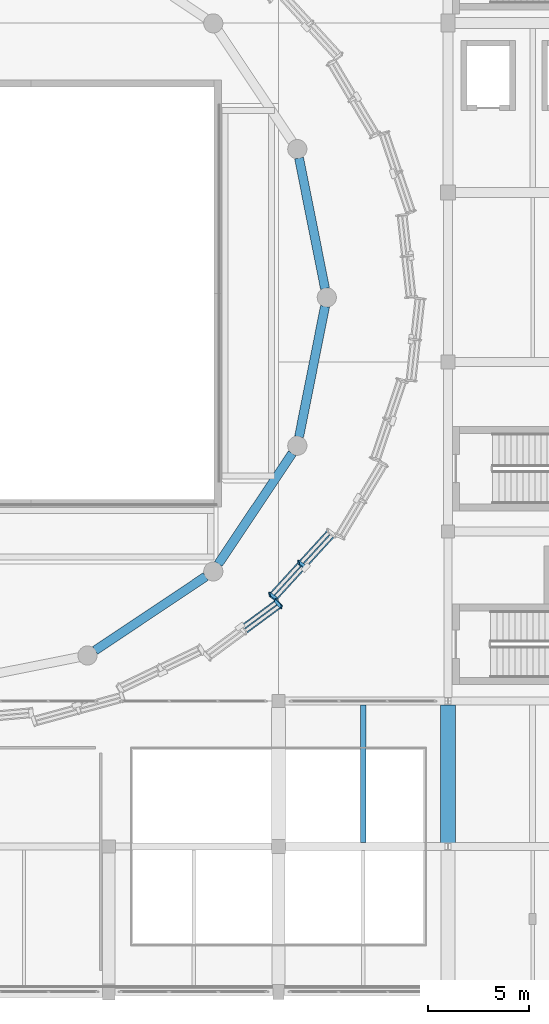
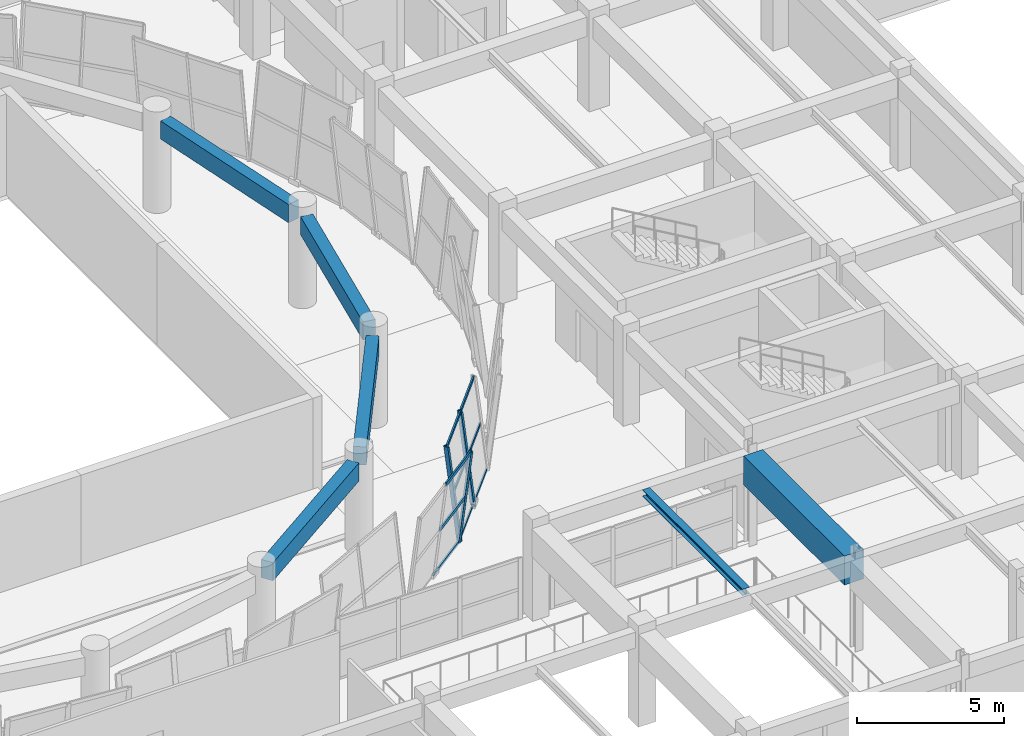
# One storey, part 28 of 71: 12 members, 6 beams, 2 elements without a shape of their own.
"""IFC4 building model written with IfcOpenShell, lengths in metres."""

from ifc_helpers import new_model, si_unit, direction, frame, origin, origin_2d, place, context, subcontext, project, spatial, rectangle, hollow_rectangle, i_section, extrude, material, material_profile, profile_set, type_object, element, aggregate, save


model = new_model("IFC4")

# Units and contexts
model_context = context("Model", 3, precision=1e-05, world=origin(), true_north=direction((0.0, 1.0)))
body_context = subcontext(model_context, "Body", "Model", "MODEL_VIEW")
ifc_project = project(units=[si_unit("LENGTHUNIT", "METRE"), si_unit("AREAUNIT", "SQUARE_METRE"), si_unit("VOLUMEUNIT", "CUBIC_METRE"), si_unit("PLANEANGLEUNIT", "RADIAN"), si_unit("MASSUNIT", "GRAM", prefix="KILO")], contexts=[model_context])

# Site, building, storey
site_placement = place(None, origin())
site = spatial("IfcSite", under=ifc_project, at=site_placement, CompositionType="ELEMENT")
building_placement = place(site_placement, origin())
building = spatial("IfcBuilding", under=site, at=building_placement, Name="Korsvaeld Concert Hall", CompositionType="ELEMENT")
storey_placement = place(building_placement, frame((0.0, 0.0, 4.800048828125)))
storey = spatial("IfcBuildingStorey", under=building, at=storey_placement, Name="L01", CompositionType="ELEMENT", Elevation=4.800048828125)

# Beams
ifc_material_1 = material(Name="Concrete C35/45", Category="concrete")
ifc_material_profile_1 = material_profile(ifc_material_1, rectangle(XDim=0.449951171875, YDim=0.75, at=origin_2d()), Name="RC 450x750")
ifc_profile_set_1 = profile_set([ifc_material_profile_1], Name="Concrete C35/45")
beam_type_1 = type_object("IfcBeamType", Name="BM-RC-450x750", PredefinedType="T_BEAM", material=ifc_profile_set_1)
for number, where, z_axis, x_axis, name in (
    (1, (103.1123046875, 63.641357421875, 3.46484375), (-0.195083214432, 0.980786694163, 0.0), (-0.980786694163, -0.195083214432, 0.0), "Drum ring floor girder L01 01"),
    (2, (91.7216796875, 45.71142578125, 3.46484375), (0.831468624109, 0.555571711953, 0.0), (-0.555571711953, 0.831468624109, 0.0), "Drum ring floor girder L01 14"),
):
    element("IfcBeam", number, at=place(storey_placement, frame(where, z_axis=z_axis, x_axis=x_axis)), inside=storey, type_object=beam_type_1, Name=name, PredefinedType="T_BEAM", context=body_context, shape_type="SweptSolid", body=[
        extrude(rectangle(XDim=0.449951171875, YDim=0.75, at=origin_2d()), origin(), (0.0, 0.0, 1.0), 6.591552734375),
    ])
for number, where, z_axis, x_axis, name in (
    (3, (97.826416015625, 49.997802734375, 3.46484375), (0.555588821765, 0.831457191399, 0.0), (-0.831457191399, 0.555588821765, 0.0), "Drum ring floor girder L01 15"),
    (4, (101.826416015625, 56.2939453125, 3.46484375), (0.195090301499, 0.980785284484, 0.0), (-0.980785284484, 0.195090301499, 0.0), "Drum ring floor girder L01 16"),
):
    element("IfcBeam", number, at=place(storey_placement, frame(where, z_axis=z_axis, x_axis=x_axis)), inside=storey, type_object=beam_type_1, Name=name, PredefinedType="T_BEAM", context=body_context, shape_type="SweptSolid", body=[
        extrude(rectangle(XDim=0.449951171875, YDim=0.75, at=origin_2d()), origin(), (0.0, 0.0, 1.0), 6.59130859375),
    ])
ifc_material_2 = material(Name="Concrete C40/50", Category="concrete")
ifc_material_profile_2 = material_profile(ifc_material_2, rectangle(XDim=0.75, YDim=1.199951171875, at=origin_2d()), Name="RC 750x1200")
ifc_profile_set_2 = profile_set([ifc_material_profile_2], Name="Concrete C40/50")
beam_type_2 = type_object("IfcBeamType", Name="BM-RC-750x1200", PredefinedType="T_BEAM", material=ifc_profile_set_2)
beam_1_placement = place(storey_placement, frame((109.199951171875, 36.179931640625, 3.239990234375), z_axis=(0.0, 1.0, 0.0), x_axis=(-1.0, 0.0, 0.0)))
element("IfcBeam", 5, at=beam_1_placement, inside=storey, type_object=beam_type_2, Name="Primary girder 15/F-G L01", PredefinedType="T_BEAM", context=body_context, shape_type="SweptSolid", body=[
    extrude(rectangle(XDim=0.75, YDim=1.199951171875, at=origin_2d()), origin(), (0.0, 0.0, 1.0), 6.840087890625),
])
ifc_material_3 = material(Name="Steel S355J2", Category="steel")
ifc_material_profile_3 = material_profile(ifc_material_3, i_section(OverallWidth=0.280029296875, OverallDepth=0.27001953125, WebThickness=0.008056640625, FlangeThickness=0.012939453125, FilletRadius=0.02392578125, at=origin_2d()), Name="HEA 280")
ifc_profile_set_3 = profile_set([ifc_material_profile_3], Name="Steel S355J2")
beam_type_3 = type_object("IfcBeamType", Name="BM-STL-HEA280", PredefinedType="BEAM", material=ifc_profile_set_3)
beam_2_placement = place(storey_placement, frame((105.0, 36.199951171875, 3.704833984375), z_axis=(0.0, 1.0, 0.0), x_axis=(-1.0, 0.0, 0.0)))
element("IfcBeam", 6, at=beam_2_placement, inside=storey, type_object=beam_type_3, Name="Secondary steel floor beam 14-15/F L01", PredefinedType="BEAM", context=body_context, shape_type="SweptSolid", body=[
    extrude(i_section(OverallWidth=0.280029296875, OverallDepth=0.27001953125, WebThickness=0.008056640625, FlangeThickness=0.012939453125, FilletRadius=0.02392578125, at=origin_2d()), origin(), (0.0, 0.0, 1.0), 6.800048828125),
])

# Curtain wall, member
ifc_material_4 = material(Name="Anodised bronze and ceramic-fritted safety glass", Category="glass")
curtain_wall_type_1 = type_object("IfcCurtainWallType", Name="CW-TYPE-04", PredefinedType="USERDEFINED", material=ifc_material_4)
curtain_wall_1_placement = place(storey_placement, origin())
curtain_wall_1 = element("IfcCurtainWall", 7, at=curtain_wall_1_placement, inside=storey, type_object=curtain_wall_type_1, Name="Crystal curtain-wall facet L01 F28", ObjectType="CURTAIN WALL", PredefinedType="USERDEFINED")
ifc_material_5 = material(Name="Anodised architectural bronze aluminium", Category="aluminium")
ifc_material_profile_4 = material_profile(ifc_material_5, hollow_rectangle(XDim=0.074951171875, YDim=0.179931640625, WallThickness=0.0048828125, at=origin_2d()), Name="CWM 180x75x5")
ifc_profile_set_4 = profile_set([ifc_material_profile_4], Name="Anodised architectural bronze aluminium")
member_type_1 = type_object("IfcMemberType", Name="CWM-BRONZE-180x75", PredefinedType="MULLION", material=ifc_profile_set_4)
member_1_placement = place(storey_placement, frame((100.657470703125, 48.18701171875, 0.0), z_axis=(0.076399398433, -0.083589194521, 0.993567299421), x_axis=(-0.977549491387, 0.189970185789, 0.091149988477)))
member_1 = element("IfcMember", 8, at=member_1_placement, type_object=member_type_1, Name="CW-CRYS-L01-F28 crystal mullion 3", PredefinedType="MULLION", context=body_context, shape_type="SweptSolid", body=[
    extrude(hollow_rectangle(XDim=0.074951171875, YDim=0.179931640625, WallThickness=0.0048828125, at=origin_2d()), origin(), (0.0, 0.0, 1.0), 3.905029296875),
])

# Curtain wall, members
curtain_wall_type_2 = type_object("IfcCurtainWallType", Name="CW-TYPE-05", PredefinedType="USERDEFINED", material=ifc_material_4)
curtain_wall_2_placement = place(storey_placement, origin())
curtain_wall_2 = element("IfcCurtainWall", 9, at=curtain_wall_2_placement, inside=storey, type_object=curtain_wall_type_2, Name="Crystal curtain-wall facet L01 F29", ObjectType="CURTAIN WALL", PredefinedType="USERDEFINED")
ifc_material_profile_5 = material_profile(ifc_material_5, hollow_rectangle(XDim=0.074951171875, YDim=0.219970703125, WallThickness=0.006103515625, at=origin_2d()), Name="CWM 220x75x6")
ifc_profile_set_5 = profile_set([ifc_material_profile_5], Name="Anodised architectural bronze aluminium")
member_type_2 = type_object("IfcMemberType", Name="CWM-BRONZE-220x75", PredefinedType="MULLION", material=ifc_profile_set_5)
member_2_placement = place(storey_placement, frame((100.712890625, 48.237060546875, 0.0), z_axis=(-0.091092396556, 0.067147037681, 0.993576092013), x_axis=(0.977499972004, 0.19664090034, 0.076329293496)))
member_2 = element("IfcMember", 10, at=member_2_placement, type_object=member_type_2, Name="CW-CRYS-L01-F29 crystal mullion 1", PredefinedType="MULLION", context=body_context, shape_type="SweptSolid", body=[
    extrude(hollow_rectangle(XDim=0.074951171875, YDim=0.219970703125, WallThickness=0.006103515625, at=origin_2d()), origin(), (0.0, 0.0, 1.0), 3.905029296875),
])
member_3_placement = place(storey_placement, frame((102.1552734375, 49.815673828125, 0.0), z_axis=(-0.091154397761, 0.067146655141, 0.993570431561), x_axis=(0.977432414107, 0.196963442342, 0.076362806613)))
member_3 = element("IfcMember", 11, at=member_3_placement, type_object=member_type_2, Name="CW-CRYS-L01-F29 crystal mullion 2", PredefinedType="MULLION", context=body_context, shape_type="SweptSolid", body=[
    extrude(hollow_rectangle(XDim=0.074951171875, YDim=0.219970703125, WallThickness=0.006103515625, at=origin_2d()), origin(), (0.0, 0.0, 1.0), 3.905029296875),
])

# Member
ifc_material_profile_6 = material_profile(ifc_material_5, hollow_rectangle(XDim=0.06005859375, YDim=0.139892578125, WallThickness=0.00390625, at=origin_2d()), Name="CWT 140x60x4")
ifc_profile_set_6 = profile_set([ifc_material_profile_6], Name="Anodised architectural bronze aluminium")
member_type_3 = type_object("IfcMemberType", Name="CWT-BRONZE-140x60", PredefinedType="USERDEFINED", material=ifc_profile_set_6)
member_4_placement = place(storey_placement, frame((98.93212890625, 46.910888671875, 0.030029296875), z_axis=(0.804904507896, 0.593404358906, 0.0), x_axis=(-0.593404358906, 0.804904507896, 0.0)))
member_4 = element("IfcMember", 12, at=member_4_placement, type_object=member_type_3, Name="CW-CRYS-L01-F28 crystal transom 2.1", ObjectType="TRANSOM", PredefinedType="USERDEFINED", context=body_context, shape_type="SweptSolid", body=[
    extrude(hollow_rectangle(XDim=0.06005859375, YDim=0.139892578125, WallThickness=0.00390625, at=origin_2d()), origin(), (0.0, 0.0, 1.0), 2.10888671875),
])

member_5_placement = place(storey_placement, frame((99.078857421875, 46.75, 1.93994140625), z_axis=(0.804849215574, 0.593479351107, 0.0), x_axis=(-0.593479351107, 0.804849215574, 0.0)))
member_5 = element("IfcMember", 13, at=member_5_placement, type_object=member_type_3, Name="CW-CRYS-L01-F28 crystal transom 2.2", ObjectType="TRANSOM", PredefinedType="USERDEFINED", context=body_context, shape_type="SweptSolid", body=[
    extrude(hollow_rectangle(XDim=0.06005859375, YDim=0.139892578125, WallThickness=0.00390625, at=origin_2d()), origin(), (0.0, 0.0, 1.0), 2.109130859375),
])

member_6_placement = place(storey_placement, frame((99.2255859375, 46.58935546875, 3.849853515625), z_axis=(0.804904507896, 0.593404358906, 0.0), x_axis=(-0.593404358906, 0.804904507896, 0.0)))
member_6 = element("IfcMember", 14, at=member_6_placement, type_object=member_type_3, Name="CW-CRYS-L01-F28 crystal transom 2.3", ObjectType="TRANSOM", PredefinedType="USERDEFINED", context=body_context, shape_type="SweptSolid", body=[
    extrude(hollow_rectangle(XDim=0.06005859375, YDim=0.139892578125, WallThickness=0.00390625, at=origin_2d()), origin(), (0.0, 0.0, 1.0), 2.10888671875),
])

aggregate(curtain_wall_1, [member_1, member_4, member_5, member_6])

member_7_placement = place(storey_placement, frame((100.735595703125, 48.2666015625, 0.030029296875), z_axis=(0.674437681465, 0.738331777604, 0.0), x_axis=(-0.738331777604, 0.674437681465, 0.0)))
member_7 = element("IfcMember", 15, at=member_7_placement, type_object=member_type_3, Name="CW-CRYS-L01-F29 crystal transom 1.1", ObjectType="TRANSOM", PredefinedType="USERDEFINED", context=body_context, shape_type="SweptSolid", body=[
    extrude(hollow_rectangle(XDim=0.06005859375, YDim=0.139892578125, WallThickness=0.00390625, at=origin_2d()), origin(), (0.0, 0.0, 1.0), 2.063232421875),
])

member_8_placement = place(storey_placement, frame((100.560302734375, 48.395751953125, 1.93994140625), z_axis=(0.674437681465, 0.738331777604, 0.0), x_axis=(-0.738331777604, 0.674437681465, 0.0)))
member_8 = element("IfcMember", 16, at=member_8_placement, type_object=member_type_3, Name="CW-CRYS-L01-F29 crystal transom 1.2", ObjectType="TRANSOM", PredefinedType="USERDEFINED", context=body_context, shape_type="SweptSolid", body=[
    extrude(hollow_rectangle(XDim=0.06005859375, YDim=0.139892578125, WallThickness=0.00390625, at=origin_2d()), origin(), (0.0, 0.0, 1.0), 2.063232421875),
])

member_9_placement = place(storey_placement, frame((100.38525390625, 48.52490234375, 3.849853515625), z_axis=(0.674496604142, 0.738277949692, 0.0), x_axis=(-0.738277949692, 0.674496604142, 0.0)))
member_9 = element("IfcMember", 17, at=member_9_placement, type_object=member_type_3, Name="CW-CRYS-L01-F29 crystal transom 1.3", ObjectType="TRANSOM", PredefinedType="USERDEFINED", context=body_context, shape_type="SweptSolid", body=[
    extrude(hollow_rectangle(XDim=0.06005859375, YDim=0.139892578125, WallThickness=0.00390625, at=origin_2d()), origin(), (0.0, 0.0, 1.0), 2.063232421875),
])

member_10_placement = place(storey_placement, frame((102.177734375, 49.84521484375, 0.030029296875), z_axis=(0.674437681465, 0.738331777604, 0.0), x_axis=(-0.738331777604, 0.674437681465, 0.0)))
member_10 = element("IfcMember", 18, at=member_10_placement, type_object=member_type_3, Name="CW-CRYS-L01-F29 crystal transom 2.1", ObjectType="TRANSOM", PredefinedType="USERDEFINED", context=body_context, shape_type="SweptSolid", body=[
    extrude(hollow_rectangle(XDim=0.06005859375, YDim=0.139892578125, WallThickness=0.00390625, at=origin_2d()), origin(), (0.0, 0.0, 1.0), 2.063232421875),
])

member_11_placement = place(storey_placement, frame((102.002685546875, 49.974365234375, 1.93994140625), z_axis=(0.674437681465, 0.738331777604, 0.0), x_axis=(-0.738331777604, 0.674437681465, 0.0)))
member_11 = element("IfcMember", 19, at=member_11_placement, type_object=member_type_3, Name="CW-CRYS-L01-F29 crystal transom 2.2", ObjectType="TRANSOM", PredefinedType="USERDEFINED", context=body_context, shape_type="SweptSolid", body=[
    extrude(hollow_rectangle(XDim=0.06005859375, YDim=0.139892578125, WallThickness=0.00390625, at=origin_2d()), origin(), (0.0, 0.0, 1.0), 2.063232421875),
])

member_12_placement = place(storey_placement, frame((101.827392578125, 50.103515625, 3.849853515625), z_axis=(0.674496604142, 0.738277949692, 0.0), x_axis=(-0.738277949692, 0.674496604142, 0.0)))
member_12 = element("IfcMember", 20, at=member_12_placement, type_object=member_type_3, Name="CW-CRYS-L01-F29 crystal transom 2.3", ObjectType="TRANSOM", PredefinedType="USERDEFINED", context=body_context, shape_type="SweptSolid", body=[
    extrude(hollow_rectangle(XDim=0.06005859375, YDim=0.139892578125, WallThickness=0.00390625, at=origin_2d()), origin(), (0.0, 0.0, 1.0), 2.063232421875),
])

aggregate(curtain_wall_2, [member_2, member_3, member_7, member_8, member_9, member_10, member_11, member_12])

save(model, "model.ifc")
